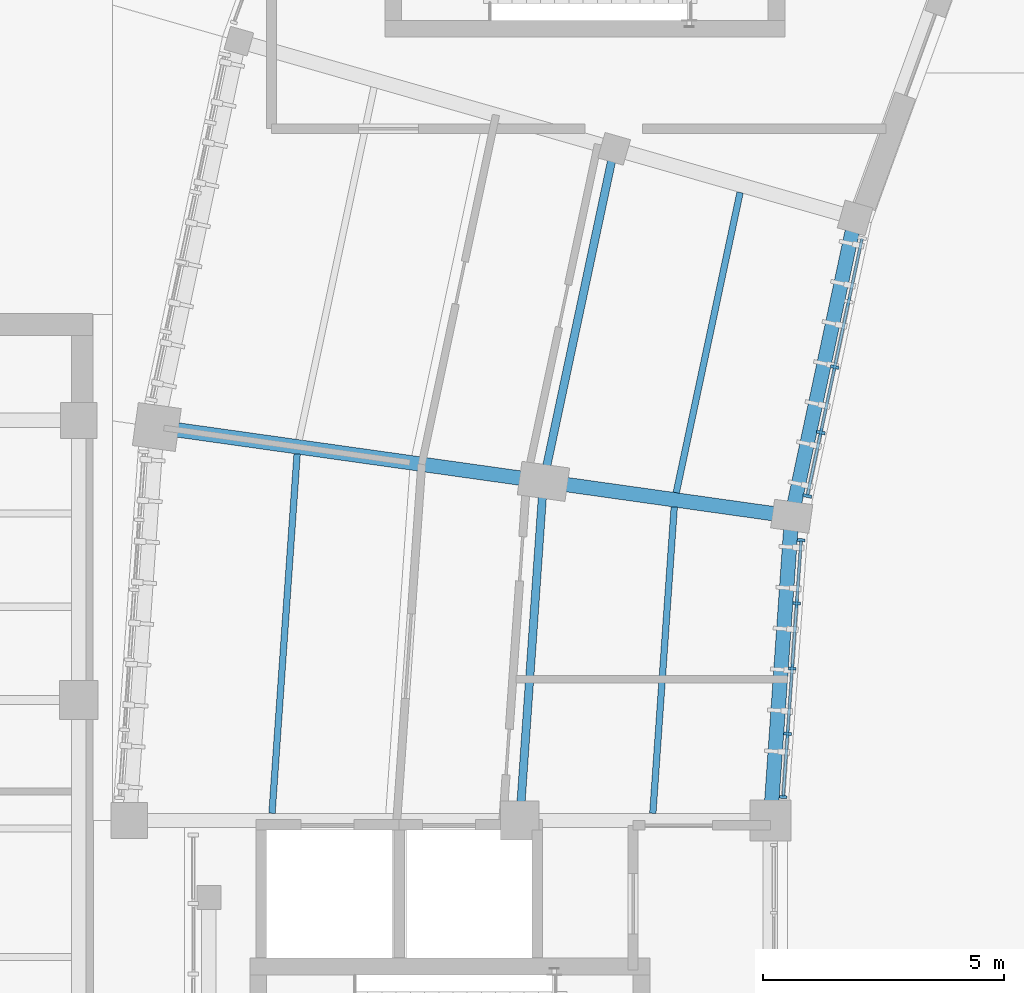
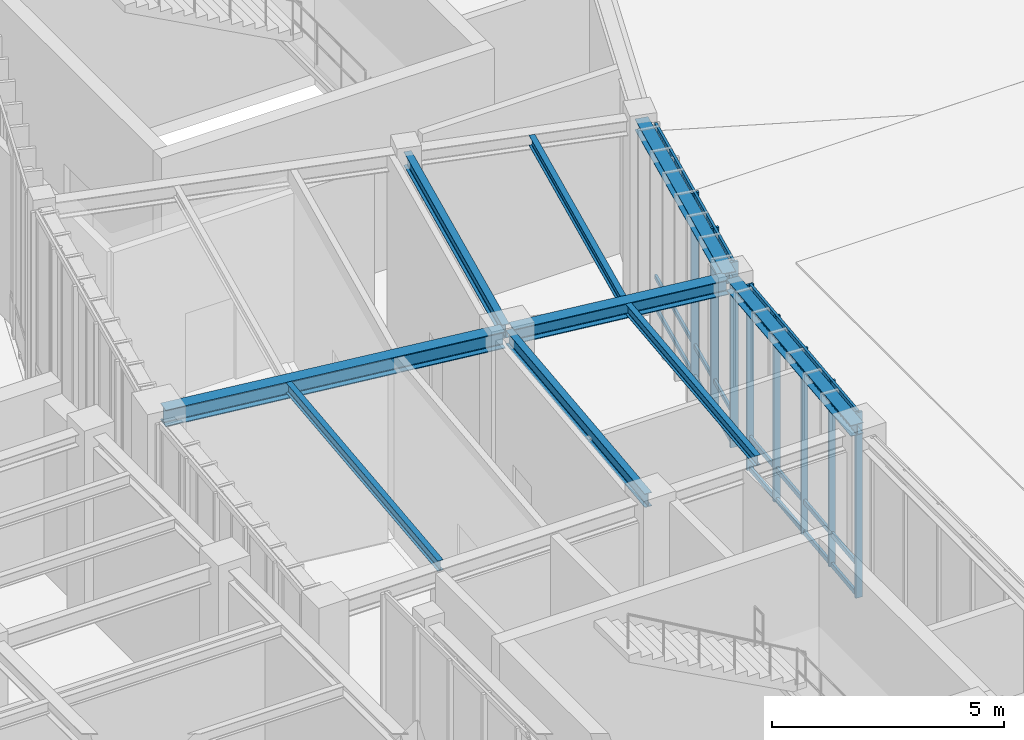
# One storey, part 5 of 68: 14 members, 9 beams, 2 elements without a shape of their own.
"""IFC4 building model written with IfcOpenShell, lengths in metres."""

import ifcopenshell
import ifcopenshell.guid

model = None  # the IFC model being written
_history = None  # IfcOwnerHistory: only IFC2X3 demands one
_inside = {}  # id of a spatial element -> (the spatial element, [elements in it])
_under = {}  # id of a project, library or spatial element -> (it, [spatial elements below it])
_declared = {}  # id of a project -> (the project, [libraries it declares])
_typed = {}  # id of a type object -> (the type object, [elements of that type])
_made_of = {}  # id of a material, layer set ... -> (it, [elements and type objects made of it])


def new_model(schema):
    """Start an empty IFC model of exactly this schema.

    Asked for "IFC4X3", IfcOpenShell would pick the latest addendum, in which some entities
    have other attributes; the version numbers below select the first issue.
    IFC2X3 requires an IfcOwnerHistory on every rooted entity: one is made here for all.
    """
    global model, _history
    if schema == "IFC4X3":
        model = ifcopenshell.file(schema_version=(4, 3, 0, 0))
    else:
        model = ifcopenshell.file(schema=schema)
    _inside.clear()
    _under.clear()
    _declared.clear()
    _typed.clear()
    _made_of.clear()
    _history = None
    if model.schema == "IFC2X3":
        org = make("IfcOrganization", Name="unknown")
        user = make(
            "IfcPersonAndOrganization",
            ThePerson=make("IfcPerson", FamilyName="unknown"),
            TheOrganization=org,
        )
        app = make(
            "IfcApplication",
            ApplicationDeveloper=org,
            Version="unknown",
            ApplicationFullName="unknown",
            ApplicationIdentifier="unknown",
        )
        _history = make(
            "IfcOwnerHistory",
            OwningUser=user,
            OwningApplication=app,
            ChangeAction="ADDED",
            CreationDate=0,
        )
    return model


def make(cls, **values):
    """One entity of the class cls with the attributes given. An attribute that is None is left unset."""
    return model.create_entity(
        cls, **{name: value for name, value in values.items() if value is not None}
    )


def rooted(cls, **values):
    """An entity with a GlobalId (a new one), such as an element, a storey or a relation."""
    return make(cls, GlobalId=ifcopenshell.guid.new(), OwnerHistory=_history, **values)


def si_unit(unit_type, name, prefix=None):
    """IfcSIUnit, for example si_unit("LENGTHUNIT", "METRE", prefix="MILLI")."""
    return make("IfcSIUnit", UnitType=unit_type, Prefix=prefix, Name=name)


def assignment(units):
    """IfcUnitAssignment: the units of a project."""
    return None if units is None else make("IfcUnitAssignment", Units=units)


def point(xyz):
    """IfcCartesianPoint."""
    return None if xyz is None else make("IfcCartesianPoint", Coordinates=xyz)


def direction(xyz):
    """IfcDirection."""
    return None if xyz is None else make("IfcDirection", DirectionRatios=xyz)


def frame(location, z_axis=None, x_axis=None):
    """IfcAxis2Placement3D, a coordinate frame: its origin and axes. An axis left out is left unset."""
    return make(
        "IfcAxis2Placement3D",
        Location=point(location),
        Axis=direction(z_axis),
        RefDirection=direction(x_axis),
    )


def frame_2d(location, x_axis=None):
    """IfcAxis2Placement2D, a coordinate frame in the plane: its origin and x axis."""
    return make(
        "IfcAxis2Placement2D", Location=point(location), RefDirection=direction(x_axis)
    )


def origin():
    """The frame at (0, 0, 0) with its axes left unset."""
    return frame((0.0, 0.0, 0.0))


def origin_2d():
    """The frame at (0, 0) in the plane with its x axis left unset."""
    return frame_2d((0.0, 0.0))


def place(relative_to, where):
    """IfcLocalPlacement: puts the frame where relative to a parent placement (None: the world)."""
    return make(
        "IfcLocalPlacement", PlacementRelTo=relative_to, RelativePlacement=where
    )


def context(
    kind, dimensions, precision=None, world=None, true_north=None, identifier=None
):
    """IfcGeometricRepresentationContext, for example the 3D "Model" context."""
    return make(
        "IfcGeometricRepresentationContext",
        ContextIdentifier=identifier,
        ContextType=kind,
        CoordinateSpaceDimension=dimensions,
        Precision=precision,
        WorldCoordinateSystem=world,
        TrueNorth=true_north,
    )


def subcontext(parent, identifier, kind, view, scale=None):
    """IfcGeometricRepresentationSubContext, for example "Body" below "Model"."""
    return make(
        "IfcGeometricRepresentationSubContext",
        ContextIdentifier=identifier,
        ContextType=kind,
        ParentContext=parent,
        TargetScale=scale,
        TargetView=view,
    )


def project(units=None, contexts=None):
    """IfcProject with its units and contexts."""
    return rooted(
        "IfcProject",
        Name="project",
        RepresentationContexts=contexts,
        UnitsInContext=assignment(units),
    )


def spatial(cls, under=None, at=None, **own):
    """A site, building, storey or space (cls), placed at a placement, below another one or the project."""
    s = rooted(cls, ObjectPlacement=at, **own)
    if under is not None:
        _under.setdefault(under.id(), (under, []))[1].append(s)
    return s


def profile(cls, at=None, kind="AREA", **sizes):
    """A parametric profile (cls). Its sizes go by their IFC names, for example OverallWidth=200.0."""
    return make(cls, ProfileType=kind, Position=at, **sizes)


def rectangle(**sizes):
    """IfcRectangleProfileDef."""
    return profile("IfcRectangleProfileDef", **sizes)


def i_section(**sizes):
    """IfcIShapeProfileDef."""
    return profile("IfcIShapeProfileDef", **sizes)


def extrude(swept, where, along, depth):
    """IfcExtrudedAreaSolid: the profile swept, set in the frame where, extruded along a direction by depth."""
    return make(
        "IfcExtrudedAreaSolid",
        SweptArea=swept,
        Position=where,
        ExtrudedDirection=direction(along),
        Depth=depth,
    )


def shape(context_of_items, identifier, shape_type, items):
    """IfcShapeRepresentation: the items that make up one representation, for example the "Body"."""
    return make(
        "IfcShapeRepresentation",
        ContextOfItems=context_of_items,
        RepresentationIdentifier=identifier,
        RepresentationType=shape_type,
        Items=items,
    )


def material(Name=None, Category=None):
    """IfcMaterial."""
    return make("IfcMaterial", Name=Name, Category=Category)


def layer(
    of_material, thickness, ventilated=None, Name=None, Category=None, Priority=None
):
    """IfcMaterialLayer: one layer of a wall or slab, of a material (None: an air gap)."""
    return make(
        "IfcMaterialLayer",
        Material=of_material,
        LayerThickness=thickness,
        IsVentilated=ventilated,
        Name=Name,
        Category=Category,
        Priority=Priority,
    )


def layer_set(layers, Name=None):
    """IfcMaterialLayerSet."""
    return make("IfcMaterialLayerSet", MaterialLayers=layers, LayerSetName=Name)


def material_profile(
    of_material, cross_section, Name=None, Category=None, Priority=None
):
    """IfcMaterialProfile: a cross section and its material."""
    return make(
        "IfcMaterialProfile",
        Name=Name,
        Material=of_material,
        Profile=cross_section,
        Priority=Priority,
        Category=Category,
    )


def profile_set(profiles, Name=None, composite=None):
    """IfcMaterialProfileSet."""
    return make(
        "IfcMaterialProfileSet",
        Name=Name,
        MaterialProfiles=profiles,
        CompositeProfile=composite,
    )


def made_of(thing, what):
    """Note that an element or type object is made of a material, layer set ...; save() writes the relation."""
    if what is not None:
        _made_of.setdefault(what.id(), (what, []))[1].append(thing)
    return thing


def type_object(cls, material=None, **own):
    """A type object (cls), such as IfcWallType, which elements share."""
    return made_of(rooted(cls, **own), material)


def element(
    cls,
    number,
    at=None,
    inside=None,
    cuts=None,
    type_object=None,
    material=None,
    context=None,
    identifier="Body",
    shape_type=None,
    held_by="IfcProductDefinitionShape",
    body=None,
    shapes=None,
    **own,
):
    """One element of the class cls, such as IfcWall. Its Tag is "e" and its number.

    at: its placement. inside: the storey or other place that contains it. cuts: it is an
    opening in that element (IfcRelVoidsElement). A single representation is given by context,
    identifier, shape_type and body (its items); several are given by shapes. held_by: the class
    of the entity that holds the representations. save() writes the other relations.
    """
    e = rooted(cls, Tag="e%d" % number, ObjectPlacement=at, **own)
    if body is not None:
        shapes = [shape(context, identifier, shape_type, body)]
    if shapes is not None:
        e.Representation = make(held_by, Representations=shapes)
    if inside is not None:
        _inside.setdefault(inside.id(), (inside, []))[1].append(e)
    if cuts is not None:
        rooted(
            "IfcRelVoidsElement", RelatingBuildingElement=cuts, RelatedOpeningElement=e
        )
    if type_object is not None:
        _typed.setdefault(type_object.id(), (type_object, []))[1].append(e)
    return made_of(e, material)


def aggregate(whole, parts):
    """IfcRelAggregates: a whole, such as a stair, and the parts it consists of."""
    return rooted("IfcRelAggregates", RelatingObject=whole, RelatedObjects=parts)


def save(model, path):
    """Write the relations noted so far, then the file.

    IfcRelAggregates (storeys below a building ...), IfcRelContainedInSpatialStructure (elements
    in a storey), IfcRelDefinesByType, IfcRelAssociatesMaterial and IfcRelDeclares: one each for
    every whole, place, type object, material and project.
    """
    for whole, parts in _under.values():
        aggregate(whole, parts)
    for where, things in _inside.values():
        rooted(
            "IfcRelContainedInSpatialStructure",
            RelatedElements=things,
            RelatingStructure=where,
        )
    for kind, things in _typed.values():
        rooted("IfcRelDefinesByType", RelatedObjects=things, RelatingType=kind)
    for what, things in _made_of.values():
        rooted("IfcRelAssociatesMaterial", RelatedObjects=things, RelatingMaterial=what)
    for by, libraries in _declared.values():
        rooted("IfcRelDeclares", RelatingContext=by, RelatedDefinitions=libraries)
    model.write(path)


model = new_model("IFC4")

# Units and contexts
model_context = context("Model", 3, precision=1e-05, world=origin(), true_north=direction((0.0, 1.0)))
body_context = subcontext(model_context, "Body", "Model", "MODEL_VIEW")
ifc_project = project(units=[si_unit("LENGTHUNIT", "METRE"), si_unit("AREAUNIT", "SQUARE_METRE"), si_unit("VOLUMEUNIT", "CUBIC_METRE"), si_unit("PLANEANGLEUNIT", "RADIAN"), si_unit("MASSUNIT", "GRAM", prefix="KILO"), si_unit("THERMODYNAMICTEMPERATUREUNIT", "KELVIN"), si_unit("POWERUNIT", "WATT")], contexts=[model_context])

# Site, building, storey
site_placement = place(None, origin())
site = spatial("IfcSite", under=ifc_project, at=site_placement, CompositionType="ELEMENT")
building_placement = place(site_placement, origin())
building = spatial("IfcBuilding", under=site, at=building_placement, Name="Solvatero Civic Police Headquarters", CompositionType="ELEMENT")
storey_placement = place(building_placement, origin())
storey = spatial("IfcBuildingStorey", under=building, at=storey_placement, Name="L00", CompositionType="ELEMENT", Elevation=0.0)

# Beams
ifc_material_1 = material(Name="Steel S355", Category="steel")
ifc_material_profile_1 = material_profile(ifc_material_1, i_section(OverallWidth=0.300048828125, OverallDepth=0.2900390625, WebThickness=0.008544921875, FlangeThickness=0.013916015625, FilletRadius=0.027099609375, at=origin_2d()), Name="HEA 300")
ifc_profile_set_1 = profile_set([ifc_material_profile_1], Name="Steel S355")
beam_type_1 = type_object("IfcBeamType", Name="BM-ST-HEA300", PredefinedType="SPANDREL", material=ifc_profile_set_1)
beam_1_placement = place(storey_placement, frame((50.385986328125, 38.40234375, 4.735107421875), z_axis=(-0.207917848731, -0.978146291809, 0.0), x_axis=(0.978146291809, -0.207917848731, 0.0)))
element("IfcBeam", 1, at=beam_1_placement, inside=storey, type_object=beam_type_1, Name="Perimeter / radial spandrel beam BM-R2-L00-ARC-CIN-B11", PredefinedType="SPANDREL", context=body_context, shape_type="SweptSolid", body=[
    extrude(i_section(OverallWidth=0.300048828125, OverallDepth=0.2900390625, WebThickness=0.008544921875, FlangeThickness=0.013916015625, FilletRadius=0.027099609375, at=origin_2d()), origin(), (0.0, 0.0, 1.0), 6.126953125),
])
beam_2_placement = place(storey_placement, frame((49.084228515625, 32.211669921875, 4.735107421875), z_axis=(-0.069734750573, -0.997565569054, 0.0), x_axis=(0.997565569054, -0.069734750573, 0.0)))
element("IfcBeam", 2, at=beam_2_placement, inside=storey, type_object=beam_type_1, Name="Perimeter / radial spandrel beam BM-R2-L00-ARC-CIN-B12", PredefinedType="SPANDREL", context=body_context, shape_type="SweptSolid", body=[
    extrude(i_section(OverallWidth=0.300048828125, OverallDepth=0.2900390625, WebThickness=0.008544921875, FlangeThickness=0.013916015625, FilletRadius=0.027099609375, at=origin_2d()), origin(), (0.0, 0.0, 1.0), 6.126708984375),
])
ifc_material_profile_2 = material_profile(ifc_material_1, i_section(OverallWidth=0.300048828125, OverallDepth=0.389892578125, WebThickness=0.010986328125, FlangeThickness=0.01904296875, FilletRadius=0.027099609375, at=origin_2d()), Name="HEA 400")
ifc_profile_set_2 = profile_set([ifc_material_profile_2], Name="Steel S355")
beam_type_2 = type_object("IfcBeamType", Name="BM-ST-HEA400", PredefinedType="BEAM", material=ifc_profile_set_2)
beam_3_placement = place(storey_placement, frame((48.9921875, 32.325439453125, 4.68505859375), z_axis=(-0.990269200152, 0.139165050317, 0.0), x_axis=(-0.139165050317, -0.990269200152, 0.0)))
element("IfcBeam", 3, at=beam_3_placement, inside=storey, type_object=beam_type_2, Name="Primary girder BM-R2-L00-ARC-RAD1-S11", PredefinedType="BEAM", context=body_context, shape_type="SweptSolid", body=[
    extrude(i_section(OverallWidth=0.300048828125, OverallDepth=0.389892578125, WebThickness=0.010986328125, FlangeThickness=0.01904296875, FilletRadius=0.027099609375, at=origin_2d()), origin(), (0.0, 0.0, 1.0), 4.999755859375),
])
ifc_material_profile_3 = material_profile(ifc_material_1, i_section(OverallWidth=0.300048828125, OverallDepth=0.43994140625, WebThickness=0.011474609375, FlangeThickness=0.02099609375, FilletRadius=0.027099609375, at=origin_2d()), Name="HEA 450")
ifc_profile_set_3 = profile_set([ifc_material_profile_3], Name="Steel S355")
beam_type_3 = type_object("IfcBeamType", Name="BM-ST-HEA450", PredefinedType="BEAM", material=ifc_profile_set_3)
beam_4_placement = place(storey_placement, frame((43.843017578125, 33.049072265625, 4.659912109375), z_axis=(-0.990265898664, 0.139188540993, 0.0), x_axis=(-0.139188540993, -0.990265898664, 0.0)))
element("IfcBeam", 4, at=beam_4_placement, inside=storey, type_object=beam_type_3, Name="Primary girder BM-R2-L00-ARC-RAD2-S11", PredefinedType="BEAM", context=body_context, shape_type="SweptSolid", body=[
    extrude(i_section(OverallWidth=0.300048828125, OverallDepth=0.43994140625, WebThickness=0.011474609375, FlangeThickness=0.02099609375, FilletRadius=0.027099609375, at=origin_2d()), origin(), (0.0, 0.0, 1.0), 7.900146484375),
])
ifc_material_profile_4 = material_profile(ifc_material_1, i_section(OverallWidth=0.135009765625, OverallDepth=0.27001953125, WebThickness=0.006591796875, FlangeThickness=0.01025390625, FilletRadius=0.014892578125, at=origin_2d()), Name="IPE 270")
ifc_profile_set_4 = profile_set([ifc_material_profile_4], Name="Steel S355")
beam_type_4 = type_object("IfcBeamType", Name="BM-ST-IPE270", PredefinedType="BEAM", material=ifc_profile_set_4)
beam_5_placement = place(storey_placement, frame((48.0205078125, 39.02880859375, 4.7451171875), z_axis=(-0.207926610171, -0.978144429409, 0.0), x_axis=(0.978144429409, -0.207926610171, 0.0)))
element("IfcBeam", 5, at=beam_5_placement, inside=storey, type_object=beam_type_4, Name="Composite floor beam BM-R2-L00-ARC-CS1-B11", PredefinedType="BEAM", context=body_context, shape_type="SweptSolid", body=[
    extrude(i_section(OverallWidth=0.135009765625, OverallDepth=0.27001953125, WebThickness=0.006591796875, FlangeThickness=0.01025390625, FilletRadius=0.014892578125, at=origin_2d()), origin(), (0.0, 0.0, 1.0), 6.36865234375),
])
beam_6_placement = place(storey_placement, frame((46.65478515625, 32.5029296875, 4.7451171875), z_axis=(-0.069767710919, -0.997563264416, 0.0), x_axis=(0.997563264416, -0.069767710919, 0.0)))
element("IfcBeam", 6, at=beam_6_placement, inside=storey, type_object=beam_type_4, Name="Composite floor beam BM-R2-L00-ARC-CS1-B12", PredefinedType="BEAM", context=body_context, shape_type="SweptSolid", body=[
    extrude(i_section(OverallWidth=0.135009765625, OverallDepth=0.27001953125, WebThickness=0.006591796875, FlangeThickness=0.01025390625, FilletRadius=0.014892578125, at=origin_2d()), origin(), (0.0, 0.0, 1.0), 6.368896484375),
])
beam_7_placement = place(storey_placement, frame((38.83154296875, 33.602294921875, 4.7451171875), z_axis=(-0.069737421409, -0.997565382346, 0.0), x_axis=(0.997565382346, -0.069737421409, 0.0)))
element("IfcBeam", 7, at=beam_7_placement, inside=storey, type_object=beam_type_4, Name="Composite floor beam BM-R2-L00-ARC-CS2-B12", PredefinedType="BEAM", context=body_context, shape_type="SweptSolid", body=[
    extrude(i_section(OverallWidth=0.135009765625, OverallDepth=0.27001953125, WebThickness=0.006591796875, FlangeThickness=0.01025390625, FilletRadius=0.014892578125, at=origin_2d()), origin(), (0.0, 0.0, 1.0), 7.470947265625),
])
ifc_material_profile_5 = material_profile(ifc_material_1, i_section(OverallWidth=0.169921875, OverallDepth=0.360107421875, WebThickness=0.008056640625, FlangeThickness=0.0126953125, FilletRadius=0.01806640625, at=origin_2d()), Name="IPE 360")
ifc_profile_set_5 = profile_set([ifc_material_profile_5], Name="Steel S355")
beam_type_5 = type_object("IfcBeamType", Name="BM-ST-IPE360", PredefinedType="BEAM", material=ifc_profile_set_5)
beam_8_placement = place(storey_placement, frame((45.387451171875, 39.835693359375, 4.699951171875), z_axis=(-0.207927785808, -0.9781441795, 0.0), x_axis=(0.9781441795, -0.207927785808, 0.0)))
element("IfcBeam", 8, at=beam_8_placement, inside=storey, type_object=beam_type_5, Name="Composite floor beam BM-R2-L00-ARC-CMID-B11", PredefinedType="BEAM", context=body_context, shape_type="SweptSolid", body=[
    extrude(i_section(OverallWidth=0.169921875, OverallDepth=0.360107421875, WebThickness=0.008056640625, FlangeThickness=0.0126953125, FilletRadius=0.01806640625, at=origin_2d()), origin(), (0.0, 0.0, 1.0), 6.852294921875),
])
beam_9_placement = place(storey_placement, frame((43.934814453125, 32.935302734375, 4.699951171875), z_axis=(-0.069727722696, -0.997566060313, 0.0), x_axis=(0.997566060313, -0.069727722696, 0.0)))
element("IfcBeam", 9, at=beam_9_placement, inside=storey, type_object=beam_type_5, Name="Composite floor beam BM-R2-L00-ARC-CMID-B12", PredefinedType="BEAM", context=body_context, shape_type="SweptSolid", body=[
    extrude(i_section(OverallWidth=0.169921875, OverallDepth=0.360107421875, WebThickness=0.008056640625, FlangeThickness=0.0126953125, FilletRadius=0.01806640625, at=origin_2d()), origin(), (0.0, 0.0, 1.0), 6.85205078125),
])

# Curtain wall, members
ifc_material_2 = material(Name="Anodized Bronze Aluminium", Category="aluminium")
ifc_layer = layer(ifc_material_2, 0.179931640625)
ifc_layer_set = layer_set([ifc_layer], Name="Anodized Bronze Aluminium")
curtain_wall_type = type_object("IfcCurtainWallType", Name="CW-ARC-IN", PredefinedType="USERDEFINED", material=ifc_layer_set)
curtain_wall_1_placement = place(storey_placement, origin())
curtain_wall_1 = element("IfcCurtainWall", 10, at=curtain_wall_1_placement, inside=storey, type_object=curtain_wall_type, Name="Curtain Wall CW-R2-L00-ARC-IN-B12", ObjectType="UNITISED", PredefinedType="USERDEFINED")
ifc_material_profile_6 = material_profile(ifc_material_2, rectangle(XDim=0.06005859375, YDim=0.159912109375, at=origin_2d()), Name="ALU MULLION 60x160")
ifc_profile_set_6 = profile_set([ifc_material_profile_6], Name="Anodized Bronze Aluminium")
member_type_1 = type_object("IfcMemberType", Name="CWM-180x70", PredefinedType="MULLION", material=ifc_profile_set_6)
member_1_placement = place(storey_placement, frame((49.28662109375, 31.816650390625, 0.0), z_axis=(0.0, 0.0, 1.0), x_axis=(-0.069756473744, -0.99756405026, 0.0)))
member_1 = element("IfcMember", 11, at=member_1_placement, type_object=member_type_1, Name="CW-R2-L00-ARC-IN-B12 Mullion 1", PredefinedType="MULLION", context=body_context, shape_type="SweptSolid", body=[
    extrude(rectangle(XDim=0.06005859375, YDim=0.159912109375, at=origin_2d()), origin(), (0.0, 0.0, 1.0), 4.8798828125),
])
member_2_placement = place(storey_placement, frame((49.19482421875, 30.50439453125, 0.0), z_axis=(0.0, 0.0, 1.0), x_axis=(-0.069756473744, -0.99756405026, 0.0)))
member_2 = element("IfcMember", 12, at=member_2_placement, type_object=member_type_1, Name="CW-R2-L00-ARC-IN-B12 Mullion 2", PredefinedType="MULLION", context=body_context, shape_type="SweptSolid", body=[
    extrude(rectangle(XDim=0.06005859375, YDim=0.159912109375, at=origin_2d()), origin(), (0.0, 0.0, 1.0), 4.8798828125),
])
member_3_placement = place(storey_placement, frame((49.100341796875, 29.152099609375, 0.0), z_axis=(0.0, 0.0, 1.0), x_axis=(-0.069756473744, -0.99756405026, 0.0)))
member_3 = element("IfcMember", 13, at=member_3_placement, type_object=member_type_1, Name="CW-R2-L00-ARC-IN-B12 Mullion 3", PredefinedType="MULLION", context=body_context, shape_type="SweptSolid", body=[
    extrude(rectangle(XDim=0.06005859375, YDim=0.159912109375, at=origin_2d()), origin(), (0.0, 0.0, 1.0), 4.8798828125),
])
member_4_placement = place(storey_placement, frame((49.005859375, 27.800048828125, 0.0), z_axis=(0.0, 0.0, 1.0), x_axis=(-0.069756473744, -0.99756405026, 0.0)))
member_4 = element("IfcMember", 14, at=member_4_placement, type_object=member_type_1, Name="CW-R2-L00-ARC-IN-B12 Mullion 4", PredefinedType="MULLION", context=body_context, shape_type="SweptSolid", body=[
    extrude(rectangle(XDim=0.06005859375, YDim=0.159912109375, at=origin_2d()), origin(), (0.0, 0.0, 1.0), 4.8798828125),
])
member_5_placement = place(storey_placement, frame((48.9140625, 26.48779296875, 0.0), z_axis=(0.0, 0.0, 1.0), x_axis=(-0.069756473744, -0.99756405026, 0.0)))
member_5 = element("IfcMember", 15, at=member_5_placement, type_object=member_type_1, Name="CW-R2-L00-ARC-IN-B12 Mullion 5", PredefinedType="MULLION", context=body_context, shape_type="SweptSolid", body=[
    extrude(rectangle(XDim=0.06005859375, YDim=0.159912109375, at=origin_2d()), origin(), (0.0, 0.0, 1.0), 4.8798828125),
])

curtain_wall_2_placement = place(storey_placement, origin())
curtain_wall_2 = element("IfcCurtainWall", 16, at=curtain_wall_2_placement, inside=storey, type_object=curtain_wall_type, Name="Curtain Wall CW-R2-L00-ARC-IN-B11", ObjectType="UNITISED", PredefinedType="USERDEFINED")
ifc_material_profile_7 = material_profile(ifc_material_2, rectangle(XDim=0.06494140625, YDim=0.179931640625, at=origin_2d()), Name="ALU MULLION 65x180")
ifc_profile_set_7 = profile_set([ifc_material_profile_7], Name="Anodized Bronze Aluminium")
member_type_2 = type_object("IfcMemberType", Name="CWM-200x75", PredefinedType="MULLION", material=ifc_profile_set_7)
member_6_placement = place(storey_placement, frame((49.98388671875, 35.406982421875, 0.0), z_axis=(0.0, 0.0, 1.0), x_axis=(-0.207911690818, -0.978147600734, 0.0)))
member_6 = element("IfcMember", 17, at=member_6_placement, type_object=member_type_2, Name="CW-R2-L00-ARC-IN-B11 Mullion 3", PredefinedType="MULLION", context=body_context, shape_type="SweptSolid", body=[
    extrude(rectangle(XDim=0.06494140625, YDim=0.179931640625, at=origin_2d()), origin(), (0.0, 0.0, 1.0), 4.8798828125),
])
member_7_placement = place(storey_placement, frame((49.695556640625, 34.050537109375, 0.0), z_axis=(0.0, 0.0, 1.0), x_axis=(-0.207911690818, -0.978147600734, 0.0)))
member_7 = element("IfcMember", 18, at=member_7_placement, type_object=member_type_2, Name="CW-R2-L00-ARC-IN-B11 Mullion 4", PredefinedType="MULLION", context=body_context, shape_type="SweptSolid", body=[
    extrude(rectangle(XDim=0.06494140625, YDim=0.179931640625, at=origin_2d()), origin(), (0.0, 0.0, 1.0), 4.8798828125),
])
member_8_placement = place(storey_placement, frame((49.41552734375, 32.733154296875, 0.0), z_axis=(0.0, 0.0, 1.0), x_axis=(-0.207911690818, -0.978147600734, 0.0)))
member_8 = element("IfcMember", 19, at=member_8_placement, type_object=member_type_2, Name="CW-R2-L00-ARC-IN-B11 Mullion 5", PredefinedType="MULLION", context=body_context, shape_type="SweptSolid", body=[
    extrude(rectangle(XDim=0.06494140625, YDim=0.179931640625, at=origin_2d()), origin(), (0.0, 0.0, 1.0), 4.8798828125),
])
ifc_material_profile_8 = material_profile(ifc_material_2, rectangle(XDim=0.06005859375, YDim=0.110107421875, at=origin_2d()), Name="ALU TRANSOM 60x110")
ifc_profile_set_8 = profile_set([ifc_material_profile_8], Name="Anodized Bronze Aluminium")
member_type_3 = type_object("IfcMemberType", Name="CWT-140x60", PredefinedType="USERDEFINED", material=ifc_profile_set_8)
member_9_placement = place(storey_placement, frame((50.550048828125, 38.071044921875, 0.0400390625), z_axis=(-0.207918792042, -0.978146091295, 0.0), x_axis=(0.978146091295, -0.207918792042, 0.0)))
member_9 = element("IfcMember", 20, at=member_9_placement, type_object=member_type_3, Name="CW-R2-L00-ARC-IN-B11 Transom 1", ObjectType="TRANSOM", PredefinedType="USERDEFINED", context=body_context, shape_type="SweptSolid", body=[
    extrude(rectangle(XDim=0.06005859375, YDim=0.110107421875, at=origin_2d()), origin(), (0.0, 0.0, 1.0), 5.447265625),
])
member_10_placement = place(storey_placement, frame((50.550048828125, 38.071044921875, 0.85009765625), z_axis=(-0.207918792042, -0.978146091295, 0.0), x_axis=(0.978146091295, -0.207918792042, 0.0)))
member_10 = element("IfcMember", 21, at=member_10_placement, type_object=member_type_3, Name="CW-R2-L00-ARC-IN-B11 Transom 2", ObjectType="TRANSOM", PredefinedType="USERDEFINED", context=body_context, shape_type="SweptSolid", body=[
    extrude(rectangle(XDim=0.06005859375, YDim=0.110107421875, at=origin_2d()), origin(), (0.0, 0.0, 1.0), 5.447265625),
])
member_11_placement = place(storey_placement, frame((50.550048828125, 38.071044921875, 4.840087890625), z_axis=(-0.207918792042, -0.978146091295, 0.0), x_axis=(0.978146091295, -0.207918792042, 0.0)))
member_11 = element("IfcMember", 22, at=member_11_placement, type_object=member_type_3, Name="CW-R2-L00-ARC-IN-B11 Transom 3", ObjectType="TRANSOM", PredefinedType="USERDEFINED", context=body_context, shape_type="SweptSolid", body=[
    extrude(rectangle(XDim=0.06005859375, YDim=0.110107421875, at=origin_2d()), origin(), (0.0, 0.0, 1.0), 5.447265625),
])
aggregate(curtain_wall_2, [member_6, member_7, member_8, member_9, member_10, member_11])

# Member
ifc_material_profile_9 = material_profile(ifc_material_2, rectangle(XDim=0.06005859375, YDim=0.125, at=origin_2d()), Name="ALU TRANSOM 60x125")
ifc_profile_set_9 = profile_set([ifc_material_profile_9], Name="Anodized Bronze Aluminium")
member_type_4 = type_object("IfcMemberType", Name="CWT-160x65", PredefinedType="USERDEFINED", material=ifc_profile_set_9)
member_12_placement = place(storey_placement, frame((49.285888671875, 31.806640625, 0.0400390625), z_axis=(-0.069730975675, -0.997565832931, 0.0), x_axis=(0.997565832931, -0.069730975675, 0.0)))
member_12 = element("IfcMember", 23, at=member_12_placement, type_object=member_type_4, Name="CW-R2-L00-ARC-IN-B12 Transom 1", ObjectType="TRANSOM", PredefinedType="USERDEFINED", context=body_context, shape_type="SweptSolid", body=[
    extrude(rectangle(XDim=0.06005859375, YDim=0.125, at=origin_2d()), origin(), (0.0, 0.0, 1.0), 5.32177734375),
])

member_13_placement = place(storey_placement, frame((49.285888671875, 31.806640625, 0.85009765625), z_axis=(-0.069730975675, -0.997565832931, 0.0), x_axis=(0.997565832931, -0.069730975675, 0.0)))
member_13 = element("IfcMember", 24, at=member_13_placement, type_object=member_type_4, Name="CW-R2-L00-ARC-IN-B12 Transom 2", ObjectType="TRANSOM", PredefinedType="USERDEFINED", context=body_context, shape_type="SweptSolid", body=[
    extrude(rectangle(XDim=0.06005859375, YDim=0.125, at=origin_2d()), origin(), (0.0, 0.0, 1.0), 5.32177734375),
])

member_14_placement = place(storey_placement, frame((49.285888671875, 31.806640625, 4.840087890625), z_axis=(-0.069730975675, -0.997565832931, 0.0), x_axis=(0.997565832931, -0.069730975675, 0.0)))
member_14 = element("IfcMember", 25, at=member_14_placement, type_object=member_type_4, Name="CW-R2-L00-ARC-IN-B12 Transom 3", ObjectType="TRANSOM", PredefinedType="USERDEFINED", context=body_context, shape_type="SweptSolid", body=[
    extrude(rectangle(XDim=0.06005859375, YDim=0.125, at=origin_2d()), origin(), (0.0, 0.0, 1.0), 5.32177734375),
])

aggregate(curtain_wall_1, [member_1, member_2, member_3, member_4, member_5, member_12, member_13, member_14])

save(model, "model.ifc")
